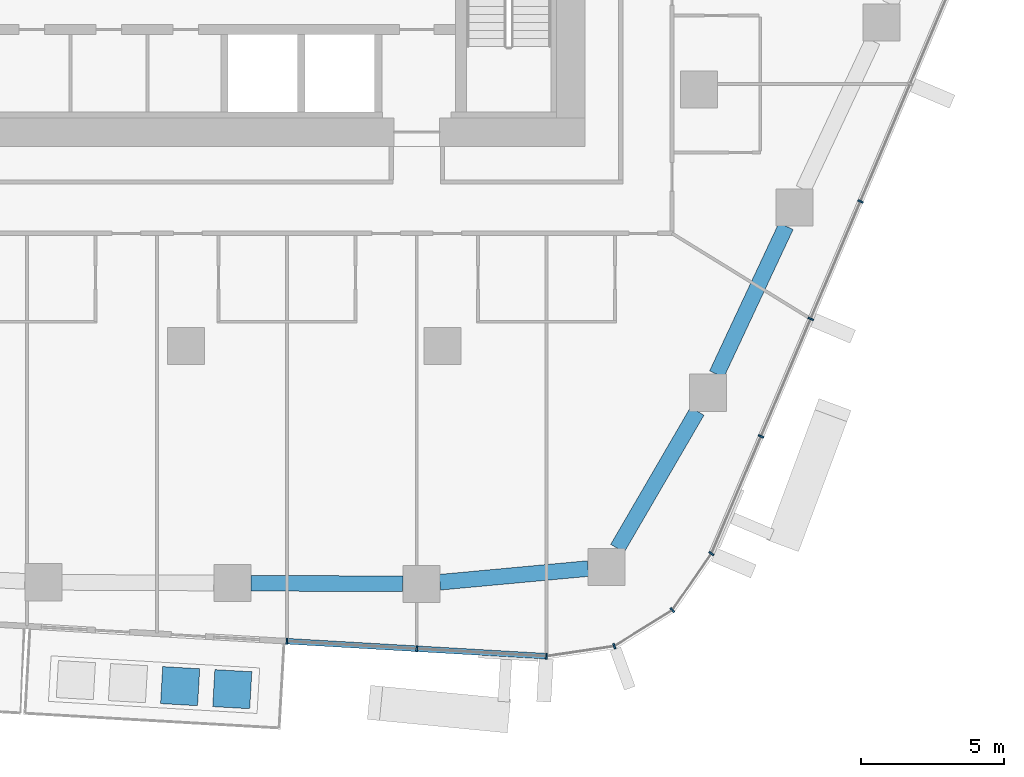
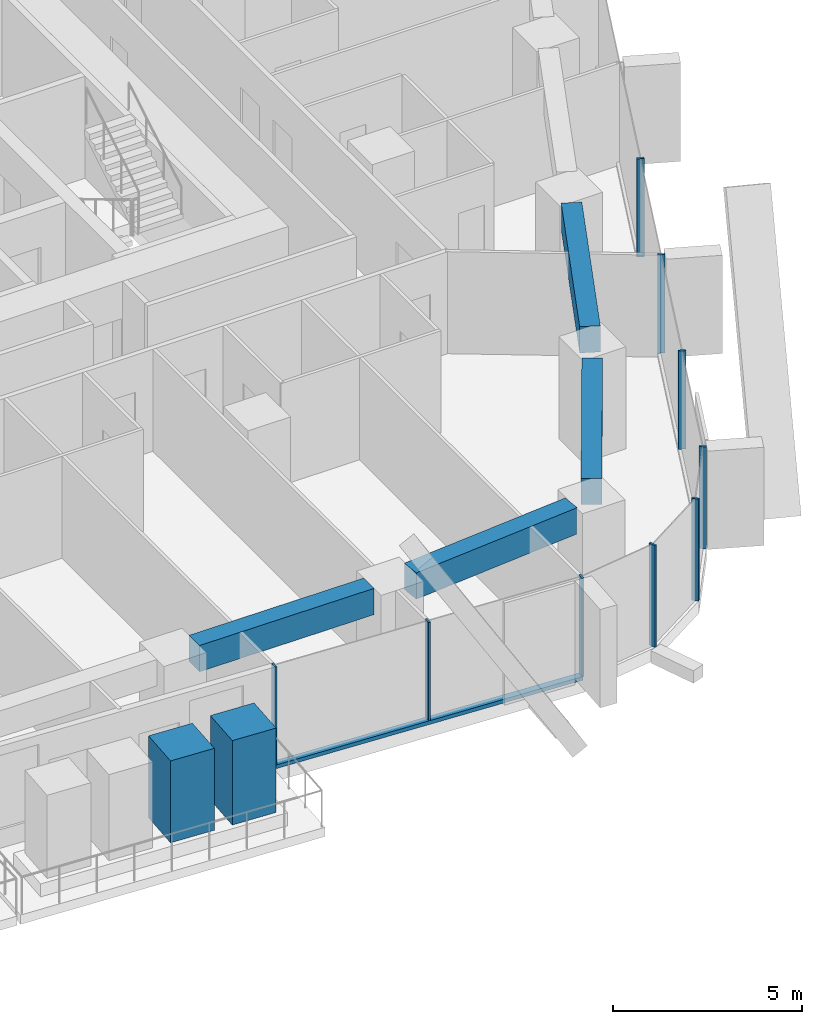
# One storey, part 4 of 23: 12 members, 4 beams, 3 elements without a shape of their own.
"""IFC4 building model written with IfcOpenShell, lengths in metres."""

from ifc_helpers import new_model, si_unit, direction, frame, origin, origin_2d, place, context, subcontext, project, spatial, rectangle, extrude, material, layer, layer_set, material_profile, profile_set, type_object, element, aggregate, save


model = new_model("IFC4")

# Units and contexts
model_context = context("Model", 3, precision=1e-05, world=origin(), true_north=direction((0.0, 1.0)))
body_context = subcontext(model_context, "Body", "Model", "MODEL_VIEW")
ifc_project = project(units=[si_unit("LENGTHUNIT", "METRE"), si_unit("AREAUNIT", "SQUARE_METRE"), si_unit("VOLUMEUNIT", "CUBIC_METRE"), si_unit("PLANEANGLEUNIT", "RADIAN"), si_unit("MASSUNIT", "GRAM", prefix="KILO")], contexts=[model_context])

# Site, building, storey
site_placement = place(None, origin())
site = spatial("IfcSite", under=ifc_project, at=site_placement, CompositionType="ELEMENT")
building_placement = place(site_placement, origin())
building = spatial("IfcBuilding", under=site, at=building_placement, Name="Dongbaek Canopy Tower", CompositionType="ELEMENT")
storey_placement = place(building_placement, frame((0.0, 0.0, 121.10009765625)))
storey = spatial("IfcBuildingStorey", under=building, at=storey_placement, Name="L26", CompositionType="ELEMENT", Elevation=121.10009765625)

# Curtain wall, members
ifc_material_1 = material(Name="Aluminium 6063-T6 pale anodised", Category="aluminium")
ifc_layer = layer(ifc_material_1, 0.199951171875)
ifc_layer_set = layer_set([ifc_layer], Name="CW-1 unitised tower curtain wall")
curtain_wall_type = type_object("IfcCurtainWallType", Name="CW-1 unitised tower curtain wall", PredefinedType="NOTDEFINED", material=ifc_layer_set)
curtain_wall_1_placement = place(storey_placement, origin())
curtain_wall_1 = element("IfcCurtainWall", 1, at=curtain_wall_1_placement, inside=storey, type_object=curtain_wall_type, Name="CW-1 curtain wall F4.1", PredefinedType="NOTDEFINED")
ifc_material_2 = material(Name="Aluminium 6063-T6 pale anodised", Category="aluminium")
ifc_material_profile_1 = material_profile(ifc_material_2, rectangle(XDim=0.199951171875, YDim=0.06005859375, at=origin_2d()), Name="CW-1 mullion 60 x 200")
ifc_profile_set_1 = profile_set([ifc_material_profile_1], Name="Aluminium 6063-T6 pale anodised")
member_type_1 = type_object("IfcMemberType", Name="CW-1 mullion 60 x 200", PredefinedType="MULLION", material=ifc_profile_set_1)
member_1_placement = place(storey_placement, frame((3.545166015625, -28.357666015625, 0.119873046875), z_axis=(0.0, 0.0, 1.0), x_axis=(-0.057753163239, -0.998330893109, 0.0)))
member_1 = element("IfcMember", 2, at=member_1_placement, type_object=member_type_1, Name="CW-1 mullion F4.1.1", PredefinedType="MULLION", context=body_context, shape_type="SweptSolid", body=[
    extrude(rectangle(XDim=0.199951171875, YDim=0.06005859375, at=origin_2d()), origin(), (0.0, 0.0, 1.0), 3.179931640625),
])
member_2_placement = place(storey_placement, frame((8.101318359375, -28.621337890625, 0.119873046875), z_axis=(0.0, 0.0, 1.0), x_axis=(-0.057753163239, -0.998330893109, 0.0)))
member_2 = element("IfcMember", 3, at=member_2_placement, type_object=member_type_1, Name="CW-1 mullion F4.1.2", PredefinedType="MULLION", context=body_context, shape_type="SweptSolid", body=[
    extrude(rectangle(XDim=0.199951171875, YDim=0.06005859375, at=origin_2d()), origin(), (0.0, 0.0, 1.0), 3.179931640625),
])
member_3_placement = place(storey_placement, frame((12.647216796875, -28.88427734375, 0.119873046875), z_axis=(0.0, 0.0, 1.0), x_axis=(-0.057753163239, -0.998330893109, 0.0)))
member_3 = element("IfcMember", 4, at=member_3_placement, type_object=member_type_1, Name="CW-1 mullion F4.1.3", PredefinedType="MULLION", context=body_context, shape_type="SweptSolid", body=[
    extrude(rectangle(XDim=0.199951171875, YDim=0.06005859375, at=origin_2d()), origin(), (0.0, 0.0, 1.0), 3.179931640625),
])

curtain_wall_2_placement = place(storey_placement, origin())
curtain_wall_2 = element("IfcCurtainWall", 5, at=curtain_wall_2_placement, inside=storey, type_object=curtain_wall_type, Name="CW-1 curtain wall K5.1", PredefinedType="NOTDEFINED")
member_4_placement = place(storey_placement, frame((15.02978515625, -28.53173828125, 0.0), z_axis=(0.0, 0.0, 1.0), x_axis=(0.344450618271, -0.938804437342, 0.0)))
member_4 = element("IfcMember", 6, at=member_4_placement, type_object=member_type_1, Name="CW-1 mullion K5.1.2", PredefinedType="MULLION", context=body_context, shape_type="SweptSolid", body=[
    extrude(rectangle(XDim=0.199951171875, YDim=0.06005859375, at=origin_2d()), origin(), (0.0, 0.0, 1.0), 3.2998046875),
])
member_5_placement = place(storey_placement, frame((17.066162109375, -27.265380859375, 0.0), z_axis=(0.0, 0.0, 1.0), x_axis=(0.689712826915, -0.724083017608, 0.0)))
member_5 = element("IfcMember", 7, at=member_5_placement, type_object=member_type_1, Name="CW-1 mullion K5.1.3", PredefinedType="MULLION", context=body_context, shape_type="SweptSolid", body=[
    extrude(rectangle(XDim=0.199951171875, YDim=0.06005859375, at=origin_2d()), origin(), (0.0, 0.0, 1.0), 3.2998046875),
])
member_6_placement = place(storey_placement, frame((18.435791015625, -25.2841796875, 0.0), z_axis=(0.0, 0.0, 1.0), x_axis=(0.822510897194, -0.568749350767, 0.0)))
member_6 = element("IfcMember", 8, at=member_6_placement, type_object=member_type_1, Name="CW-1 mullion K5.1.4", PredefinedType="MULLION", context=body_context, shape_type="SweptSolid", body=[
    extrude(rectangle(XDim=0.199951171875, YDim=0.06005859375, at=origin_2d()), origin(), (0.0, 0.0, 1.0), 3.2998046875),
])
aggregate(curtain_wall_2, [member_4, member_5, member_6])

curtain_wall_3_placement = place(storey_placement, origin())
curtain_wall_3 = element("IfcCurtainWall", 9, at=curtain_wall_3_placement, inside=storey, type_object=curtain_wall_type, Name="CW-1 curtain wall F5.1", PredefinedType="NOTDEFINED")
member_7_placement = place(storey_placement, frame((20.175537109375, -21.1728515625, 0.119873046875), z_axis=(0.0, 0.0, 1.0), x_axis=(0.920957724744, -0.389662506836, 0.0)))
member_7 = element("IfcMember", 10, at=member_7_placement, type_object=member_type_1, Name="CW-1 mullion F5.1.2", PredefinedType="MULLION", context=body_context, shape_type="SweptSolid", body=[
    extrude(rectangle(XDim=0.199951171875, YDim=0.06005859375, at=origin_2d()), origin(), (0.0, 0.0, 1.0), 3.179931640625),
])
member_8_placement = place(storey_placement, frame((21.919189453125, -17.0517578125, 0.119873046875), z_axis=(0.0, 0.0, 1.0), x_axis=(0.920957724744, -0.389662506836, 0.0)))
member_8 = element("IfcMember", 11, at=member_8_placement, type_object=member_type_1, Name="CW-1 mullion F5.1.3", PredefinedType="MULLION", context=body_context, shape_type="SweptSolid", body=[
    extrude(rectangle(XDim=0.199951171875, YDim=0.06005859375, at=origin_2d()), origin(), (0.0, 0.0, 1.0), 3.179931640625),
])
member_9_placement = place(storey_placement, frame((23.66259765625, -12.930908203125, 0.119873046875), z_axis=(0.0, 0.0, 1.0), x_axis=(0.920957724744, -0.389662506836, 0.0)))
member_9 = element("IfcMember", 12, at=member_9_placement, type_object=member_type_1, Name="CW-1 mullion F5.1.4", PredefinedType="MULLION", context=body_context, shape_type="SweptSolid", body=[
    extrude(rectangle(XDim=0.199951171875, YDim=0.06005859375, at=origin_2d()), origin(), (0.0, 0.0, 1.0), 3.179931640625),
])
aggregate(curtain_wall_3, [member_7, member_8, member_9])

# Member
ifc_material_3 = material(Name="Aluminium 6063-T6 pale anodised", Category="aluminium")
ifc_material_profile_2 = material_profile(ifc_material_3, rectangle(XDim=0.199951171875, YDim=0.1201171875, at=origin_2d()), Name="CW-1 transom 120 x 200")
ifc_profile_set_2 = profile_set([ifc_material_profile_2], Name="Aluminium 6063-T6 pale anodised")
member_type_2 = type_object("IfcMemberType", Name="CW-1 transom 120 x 200", PredefinedType="USERDEFINED", material=ifc_profile_set_2)
member_10_placement = place(storey_placement, frame((3.545166015625, -28.357666015625, 0.059814453125), z_axis=(0.998330512176, -0.057759747727, 0.0), x_axis=(0.057759747727, 0.998330512176, 0.0)))
member_10 = element("IfcMember", 13, at=member_10_placement, type_object=member_type_2, Name="CW-1 transom F4.1.1", ObjectType="TRANSOM", PredefinedType="USERDEFINED", context=body_context, shape_type="SweptSolid", body=[
    extrude(rectangle(XDim=0.199951171875, YDim=0.1201171875, at=origin_2d()), origin(), (0.0, 0.0, 1.0), 9.1171875),
])

aggregate(curtain_wall_1, [member_1, member_2, member_3, member_10])

# Beams
ifc_material_4 = material(Name="Concrete C80", Category="concrete")
ifc_material_profile_3 = material_profile(ifc_material_4, rectangle(XDim=0.550048828125, YDim=0.85009765625, at=origin_2d()), Name="RC EDGE BEAM 550x850 C80")
ifc_profile_set_3 = profile_set([ifc_material_profile_3], Name="Concrete C80")
beam_type = type_object("IfcBeamType", Name="RC EDGE BEAM 550x850 C80", PredefinedType="BEAM", material=ifc_profile_set_3)
beam_1_placement = place(storey_placement, frame((14.110107421875, -25.80908203125, 2.875), z_axis=(-0.995770494827, -0.091875576911, 0.0), x_axis=(0.091875576911, -0.995770494827, 0.0)))
element("IfcBeam", 14, at=beam_1_placement, inside=storey, type_object=beam_type, Name="EDGEBEAM:L26:00", PredefinedType="BEAM", context=body_context, shape_type="SweptSolid", body=[
    extrude(rectangle(XDim=0.550048828125, YDim=0.85009765625, at=origin_2d()), origin(), (0.0, 0.0, 1.0), 5.224365234375),
])
beam_2_placement = place(storey_placement, frame((7.60791015625, -26.34619140625, 2.875), z_axis=(-0.999989714022, 0.004535620181, 0.0), x_axis=(-0.004535620181, -0.999989714022, 0.0)))
element("IfcBeam", 15, at=beam_2_placement, inside=storey, type_object=beam_type, Name="EDGEBEAM:L26:01", PredefinedType="BEAM", context=body_context, shape_type="SweptSolid", body=[
    extrude(rectangle(XDim=0.550048828125, YDim=0.85009765625, at=origin_2d()), origin(), (0.0, 0.0, 1.0), 5.328857421875),
])
beam_3_placement = place(storey_placement, frame((21.051513671875, -13.800048828125, 2.875), z_axis=(-0.424209119096, -0.905564256845, 0.0), x_axis=(0.905564256845, -0.424209119096, 0.0)))
element("IfcBeam", 16, at=beam_3_placement, inside=storey, type_object=beam_type, Name="EDGEBEAM:L26:24", PredefinedType="BEAM", context=body_context, shape_type="SweptSolid", body=[
    extrude(rectangle(XDim=0.550048828125, YDim=0.85009765625, at=origin_2d()), origin(), (0.0, 0.0, 1.0), 5.7333984375),
])
beam_4_placement = place(storey_placement, frame((17.9365234375, -20.2919921875, 2.875), z_axis=(-0.503057531083, -0.864252926186, 0.0), x_axis=(0.864252926186, -0.503057531083, 0.0)))
element("IfcBeam", 17, at=beam_4_placement, inside=storey, type_object=beam_type, Name="EDGEBEAM:L26:25", PredefinedType="BEAM", context=body_context, shape_type="SweptSolid", body=[
    extrude(rectangle(XDim=0.550048828125, YDim=0.85009765625, at=origin_2d()), origin(), (0.0, 0.0, 1.0), 5.562255859375),
])

# Members
ifc_material_5 = material(Name="Concrete C40/50 planter mass with planting", Category="concrete")
ifc_material_profile_4 = material_profile(ifc_material_5, rectangle(XDim=1.300048828125, YDim=1.300048828125, at=origin_2d()), Name="Terrace PLANTER shrub mass 1300 x 1300")
ifc_profile_set_4 = profile_set([ifc_material_profile_4], Name="Concrete C40/50 planter mass with planting")
member_type_3 = type_object("IfcMemberType", Name="Terrace PLANTER shrub mass 1300 x 1300", PredefinedType="USERDEFINED", material=ifc_profile_set_4)
member_11_placement = place(storey_placement, frame((-0.199951171875, -29.93408203125, 0.419921875), z_axis=(0.0, 0.0, 1.0), x_axis=(-0.057753163239, -0.998330893109, 0.0)))
element("IfcMember", 18, at=member_11_placement, inside=storey, type_object=member_type_3, Name="Planter shrubs L26 4.3", ObjectType="PLANTER", PredefinedType="USERDEFINED", context=body_context, shape_type="SweptSolid", body=[
    extrude(rectangle(XDim=1.300048828125, YDim=1.300048828125, at=origin_2d()), origin(), (0.0, 0.0, 1.0), 2.64990234375),
])
member_12_placement = place(storey_placement, frame((1.62890625, -30.039794921875, 0.419921875), z_axis=(0.0, 0.0, 1.0), x_axis=(-0.057753163239, -0.998330893109, 0.0)))
element("IfcMember", 19, at=member_12_placement, inside=storey, type_object=member_type_3, Name="Planter shrubs L26 4.4", ObjectType="PLANTER", PredefinedType="USERDEFINED", context=body_context, shape_type="SweptSolid", body=[
    extrude(rectangle(XDim=1.300048828125, YDim=1.300048828125, at=origin_2d()), origin(), (0.0, 0.0, 1.0), 2.72998046875),
])

save(model, "model.ifc")
